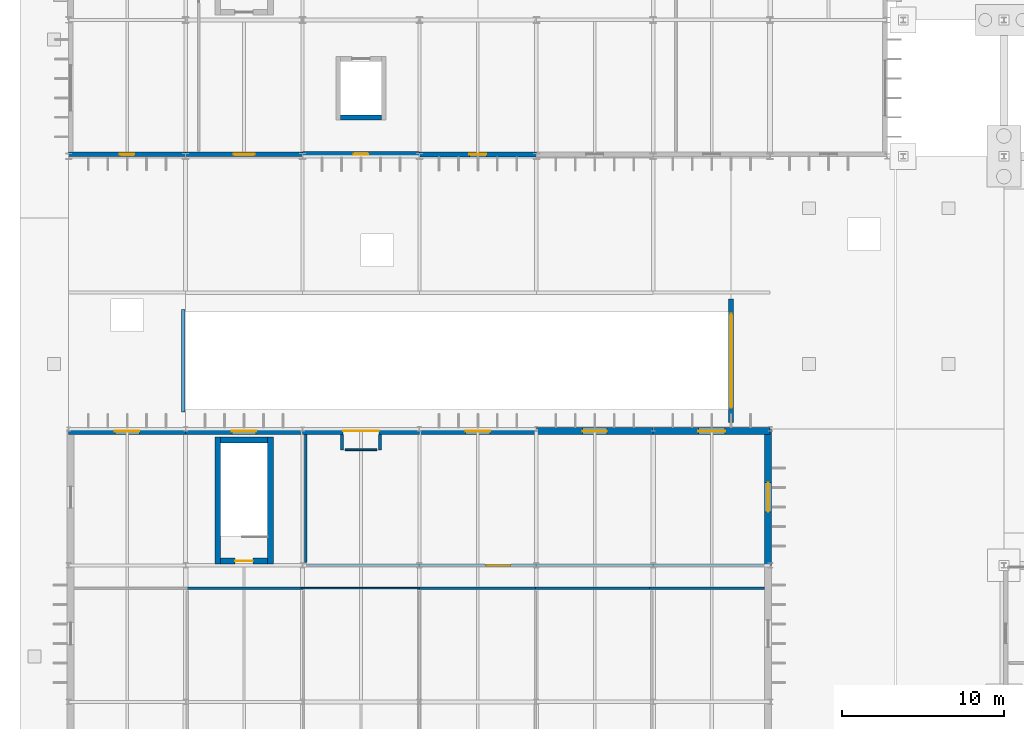
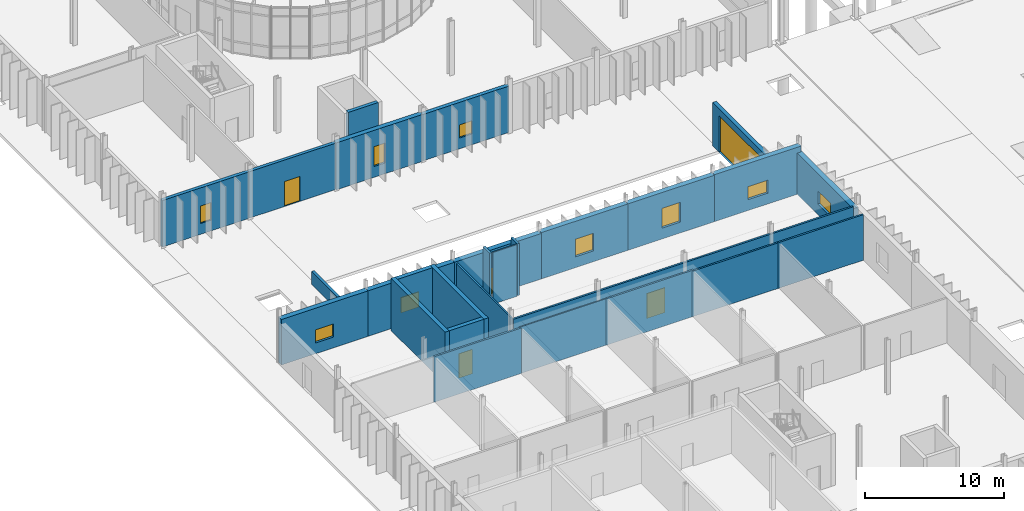
# One storey, part 90 of 118: 28 walls, 9 windows, 5 doors, 14 openings.
"""IFC4 building model written with IfcOpenShell, lengths in metres."""

from ifc_helpers import new_model, si_unit, direction, frame, frame_2d, origin, place, context, subcontext, project, spatial, rectangle, extrude, material, layer, layer_set, type_object, element, fill, save


model = new_model("IFC4")

# Units and contexts
model_context = context("Model", 3, precision=1e-05, world=origin(), true_north=direction((0.0, 1.0)))
body_context = subcontext(model_context, "Body", "Model", "MODEL_VIEW")
ifc_project = project(units=[si_unit("LENGTHUNIT", "METRE"), si_unit("AREAUNIT", "SQUARE_METRE"), si_unit("VOLUMEUNIT", "CUBIC_METRE"), si_unit("PLANEANGLEUNIT", "RADIAN"), si_unit("MASSUNIT", "GRAM", prefix="KILO")], contexts=[model_context])

# Site, building, storey
site_placement = place(None, origin())
site = spatial("IfcSite", under=ifc_project, at=site_placement, CompositionType="ELEMENT")
building_placement = place(site_placement, origin())
building = spatial("IfcBuilding", under=site, at=building_placement, Name="Qelthora Terrace Specialist Clinic", CompositionType="ELEMENT")
storey_placement = place(building_placement, origin())
storey = spatial("IfcBuildingStorey", under=building, at=storey_placement, Name="L00", CompositionType="ELEMENT", Elevation=0.0)

# Walls
ifc_material_1 = material(Name="Concrete C40/50", Category="concrete")
ifc_layer_1 = layer(ifc_material_1, 0.300048828125)
ifc_layer_set_1 = layer_set([ifc_layer_1], Name="Concrete C40/50")
wall_type_1 = type_object("IfcWallType", Name="WAL-CORE-300-C40", PredefinedType="SHEAR", material=ifc_layer_set_1)
wall_1_placement = place(storey_placement, frame((16.75, 61.199951171875, 0.0), z_axis=(0.0, 0.0, 1.0), x_axis=(1.0, 0.0, 0.0)))
element("IfcWall", 1, at=wall_1_placement, inside=storey, type_object=wall_type_1, Name="Lift SL-01 L00 south shaft wall", PredefinedType="SHEAR", context=body_context, shape_type="SweptSolid", body=[
    extrude(rectangle(XDim=2.5, YDim=0.300048828125, at=frame_2d((1.25, 0.0))), origin(), (0.0, 0.0, 1.0), 4.580078125),
])
ifc_layer_2 = layer(ifc_material_1, 0.35009765625)
ifc_layer_set_2 = layer_set([ifc_layer_2], Name="Concrete C40/50")
wall_type_2 = type_object("IfcWallType", Name="WAL-CORE-350-C40", PredefinedType="SHEAR", material=ifc_layer_set_2)
for number, where, z_axis, x_axis, name in (
    (2, (9.175048828125, 33.699951171875, 0.0), (0.0, 0.0, 1.0), (0.0, 1.0, 0.0), "ST-04 L00 west shear core wall"),
    (3, (12.425048828125, 33.699951171875, 0.0), (0.0, 0.0, 1.0), (0.0, 1.0, 0.0), "ST-04 L00 east shear core wall"),
):
    element("IfcWall", number, at=place(storey_placement, frame(where, z_axis=z_axis, x_axis=x_axis)), inside=storey, type_object=wall_type_2, Name=name, PredefinedType="SHEAR", context=body_context, shape_type="SweptSolid", body=[
        extrude(rectangle(XDim=7.800048828125, YDim=0.35009765625, at=frame_2d((3.89990234375, 0.0))), origin(), (0.0, 0.0, 1.0), 4.574951171875),
    ])
wall_2_placement = place(storey_placement, frame((9.35009765625, 41.324951171875, 0.0), z_axis=(0.0, 0.0, 1.0), x_axis=(1.0, 0.0, 0.0)))
element("IfcWall", 4, at=wall_2_placement, inside=storey, type_object=wall_type_2, Name="ST-04 L00 north shear core wall", PredefinedType="SHEAR", context=body_context, shape_type="SweptSolid", body=[
    extrude(rectangle(XDim=2.89990234375, YDim=0.35009765625, at=frame_2d((1.449951171875, 0.0))), origin(), (0.0, 0.0, 1.0), 4.574951171875),
])

# Wall, opening, door
wall_3_placement = place(storey_placement, frame((9.35009765625, 33.875, 0.0), z_axis=(0.0, 0.0, 1.0), x_axis=(1.0, 0.0, 0.0)))
wall_3 = element("IfcWall", 5, at=wall_3_placement, inside=storey, type_object=wall_type_2, Name="ST-04 L00 south shear core wall", PredefinedType="SHEAR", context=body_context, shape_type="SweptSolid", body=[
    extrude(rectangle(XDim=2.89990234375, YDim=0.35009765625, at=frame_2d((1.449951171875, 0.0))), origin(), (0.0, 0.0, 1.0), 4.574951171875),
])
opening_1_placement = place(wall_3_placement, frame((0.89990234375, 0.0, 0.0)))
opening_1 = element("IfcOpeningElement", 6, at=opening_1_placement, cuts=wall_3, Name="Opening D-ST-04-L00", PredefinedType="OPENING", context=body_context, shape_type="SweptSolid", body=[
    extrude(rectangle(XDim=1.10009765625, YDim=2.14990234375, at=frame_2d((0.550048828125, 1.074951171875))), frame((0.0, 0.18505859375, 0.0), z_axis=(0.0, -1.0, 0.0), x_axis=(1.0, 0.0, 0.0)), (0.0, 0.0, 1.0), 0.3701171875),
])
ifc_material_2 = material(Name="Steel S355", Category="steel")
door_type_1 = type_object("IfcDoorType", Name="DOR-STAIR-1100X2150", OperationType="NOTDEFINED", PredefinedType="DOOR", material=ifc_material_2)
door_1_placement = place(opening_1_placement, frame((1.10009765625, 0.0, 0.0), z_axis=(0.0, 0.0, 1.0), x_axis=(-1.0, 0.0, 0.0)))
door_1 = element("IfcDoor", 7, at=door_1_placement, inside=storey, type_object=door_type_1, Name="Stair fire door D-ST-04-L00", OperationType="SINGLE_SWING_LEFT", OverallHeight=2.14990234375, OverallWidth=1.10009765625, PredefinedType="DOOR", context=body_context, shape_type="SweptSolid", body=[
    extrude(rectangle(XDim=1.10009765625, YDim=2.14990234375, at=frame_2d((0.550048828125, 1.074951171875))), frame((0.0, 0.02490234375, 0.0), z_axis=(0.0, -1.0, 0.0), x_axis=(1.0, 0.0, 0.0)), (0.0, 0.0, 1.0), 0.050048828125),
])
fill(opening_1, door_1)

ifc_material_3 = material(Name="Precast concrete C40/50", Category="concrete")
ifc_layer_3 = layer(ifc_material_3, 0.260009765625)
ifc_layer_set_3 = layer_set([ifc_layer_3], Name="Precast concrete C40/50")
wall_type_3 = type_object("IfcWallType", Name="WAL-EXT-260-PC40", PredefinedType="SOLIDWALL", material=ifc_layer_set_3)
wall_4_placement = place(storey_placement, frame((7.199951171875, 58.919921875, 0.0), z_axis=(0.0, 0.0, 1.0), x_axis=(1.0, 0.0, 0.0)))
wall_4 = element("IfcWall", 8, at=wall_4_placement, inside=storey, type_object=wall_type_3, Name="L00 external precast wall 84", PredefinedType="SOLIDWALL", context=body_context, shape_type="SweptSolid", body=[
    extrude(rectangle(XDim=7.199951171875, YDim=0.260009765625, at=frame_2d((3.60009765625, 0.0))), origin(), (0.0, 0.0, 1.0), 4.08203125),
])
opening_2_placement = place(wall_4_placement, frame((2.949951171875, 0.0, 0.0)))
opening_2 = element("IfcOpeningElement", 9, at=opening_2_placement, cuts=wall_4, Name="Opening DE-ST01-EXIT", PredefinedType="OPENING", context=body_context, shape_type="SweptSolid", body=[
    extrude(rectangle(XDim=1.300048828125, YDim=2.199951171875, at=frame_2d((0.64990234375, 1.10009765625))), frame((0.0, 0.139892578125, 0.0), z_axis=(0.0, -1.0, 0.0), x_axis=(1.0, 0.0, 0.0)), (0.0, 0.0, 1.0), 0.280029296875),
])
door_type_2 = type_object("IfcDoorType", Name="DOR-EXT-1300X2200", OperationType="NOTDEFINED", PredefinedType="DOOR", material=ifc_material_2)
door_2_placement = place(opening_2_placement, frame((1.300048828125, 0.0, 0.0), z_axis=(0.0, 0.0, 1.0), x_axis=(-1.0, 0.0, 0.0)))
door_2 = element("IfcDoor", 10, at=door_2_placement, inside=storey, type_object=door_type_2, Name="Exterior entrance/exit door DE-ST01-EXIT", OperationType="SINGLE_SWING_LEFT", OverallHeight=2.199951171875, OverallWidth=1.300048828125, PredefinedType="DOOR", context=body_context, shape_type="SweptSolid", body=[
    extrude(rectangle(XDim=1.300048828125, YDim=2.199951171875, at=frame_2d((0.64990234375, 1.10009765625))), frame((0.0, 0.02490234375, 0.0), z_axis=(0.0, -1.0, 0.0), x_axis=(1.0, 0.0, 0.0)), (0.0, 0.0, 1.0), 0.050048828125),
])
fill(opening_2, door_2)

# Wall, opening, window
ifc_layer_4 = layer(ifc_material_3, 0.280029296875)
ifc_layer_set_4 = layer_set([ifc_layer_4], Name="Precast concrete C40/50")
wall_type_4 = type_object("IfcWallType", Name="WAL-EXT-280-PC40", PredefinedType="SOLIDWALL", material=ifc_layer_set_4)
wall_5_placement = place(storey_placement, frame((0.0, 58.919921875, 0.0), z_axis=(0.0, 0.0, 1.0), x_axis=(1.0, 0.0, 0.0)))
wall_5 = element("IfcWall", 11, at=wall_5_placement, inside=storey, type_object=wall_type_4, Name="L00 external precast wall 83", PredefinedType="SOLIDWALL", context=body_context, shape_type="SweptSolid", body=[
    extrude(rectangle(XDim=7.199951171875, YDim=0.280029296875, at=frame_2d((3.60009765625, 0.0))), origin(), (0.0, 0.0, 1.0), 4.08203125),
])
opening_3_placement = place(wall_5_placement, frame((3.14990234375, 0.0, 0.949951171875)))
opening_3 = element("IfcOpeningElement", 12, at=opening_3_placement, cuts=wall_5, Name="Opening WN-L00-063", PredefinedType="OPENING", context=body_context, shape_type="SweptSolid", body=[
    extrude(rectangle(XDim=0.89990234375, YDim=1.550048828125, at=frame_2d((0.449951171875, 0.77490234375))), frame((0.0, 0.14990234375, 0.0), z_axis=(0.0, -1.0, 0.0), x_axis=(1.0, 0.0, 0.0)), (0.0, 0.0, 1.0), 0.300048828125),
])
ifc_material_4 = material(Name="Low-E triple-silver insulating glass", Category="glass")
window_type_1 = type_object("IfcWindowType", Name="WIN-900X1550", PartitioningType="SINGLE_PANEL", PredefinedType="WINDOW", material=ifc_material_4)
window_1_placement = place(opening_3_placement, origin())
window_1 = element("IfcWindow", 13, at=window_1_placement, inside=storey, type_object=window_type_1, Name="Clinical window WN-L00-063", OverallHeight=1.550048828125, OverallWidth=0.89990234375, PartitioningType="SINGLE_PANEL", PredefinedType="WINDOW", context=body_context, shape_type="SweptSolid", body=[
    extrude(rectangle(XDim=0.89990234375, YDim=1.550048828125, at=frame_2d((0.449951171875, 0.77490234375))), frame((0.0, 0.030029296875, 0.0), z_axis=(0.0, -1.0, 0.0), x_axis=(1.0, 0.0, 0.0)), (0.0, 0.0, 1.0), 0.06005859375),
])
fill(opening_3, window_1)

# Wall, opening, door
ifc_layer_5 = layer(ifc_material_3, 0.320068359375)
ifc_layer_set_5 = layer_set([ifc_layer_5], Name="Precast concrete C40/50")
wall_type_5 = type_object("IfcWallType", Name="WAL-EXT-320-PC40", PredefinedType="SOLIDWALL", material=ifc_layer_set_5)
wall_6_placement = place(storey_placement, frame((40.800048828125, 42.39990234375, 0.0), z_axis=(0.0, 0.0, 1.0), x_axis=(0.0, 1.0, 0.0)))
wall_6 = element("IfcWall", 14, at=wall_6_placement, inside=storey, type_object=wall_type_5, Name="Vehicle ramp portal wall", PredefinedType="SOLIDWALL", context=body_context, shape_type="SweptSolid", body=[
    extrude(rectangle(XDim=7.60009765625, YDim=0.320068359375, at=frame_2d((3.800048828125, 0.0))), origin(), (0.0, 0.0, 1.0), 3.800048828125),
])
opening_4_placement = place(wall_6_placement, frame((0.89990234375, 0.0, 0.0)))
opening_4 = element("IfcOpeningElement", 15, at=opening_4_placement, cuts=wall_6, Name="Opening VG-01", PredefinedType="OPENING", context=body_context, shape_type="SweptSolid", body=[
    extrude(rectangle(XDim=5.800048828125, YDim=3.199951171875, at=frame_2d((2.89990234375, 1.60009765625))), frame((0.0, 0.169921875, 0.0), z_axis=(0.0, -1.0, 0.0), x_axis=(1.0, 0.0, 0.0)), (0.0, 0.0, 1.0), 0.340087890625),
])
door_type_3 = type_object("IfcDoorType", Name="DOR-VGATE-5800X3200", OperationType="NOTDEFINED", PredefinedType="GATE", material=ifc_material_2)
door_3_placement = place(opening_4_placement, frame((5.800048828125, 0.0, 0.0), z_axis=(0.0, 0.0, 1.0), x_axis=(-1.0, 0.0, 0.0)))
door_3 = element("IfcDoor", 16, at=door_3_placement, inside=storey, type_object=door_type_3, Name="Car park rolling vehicle gate VG-01", OperationType="ROLLINGUP", OverallHeight=3.199951171875, OverallWidth=5.800048828125, PredefinedType="GATE", context=body_context, shape_type="SweptSolid", body=[
    extrude(rectangle(XDim=5.800048828125, YDim=3.199951171875, at=frame_2d((2.89990234375, 1.60009765625))), frame((0.0, 0.02490234375, 0.0), z_axis=(0.0, -1.0, 0.0), x_axis=(1.0, 0.0, 0.0)), (0.0, 0.0, 1.0), 0.050048828125),
])
fill(opening_4, door_3)

# Wall, opening, window
wall_7_placement = place(storey_placement, frame((21.60009765625, 58.919921875, 0.0), z_axis=(0.0, 0.0, 1.0), x_axis=(1.0, 0.0, 0.0)))
wall_7 = element("IfcWall", 17, at=wall_7_placement, inside=storey, type_object=wall_type_5, Name="L00 external precast wall 86", PredefinedType="SOLIDWALL", context=body_context, shape_type="SweptSolid", body=[
    extrude(rectangle(XDim=7.199951171875, YDim=0.320068359375, at=frame_2d((3.60009765625, 0.0))), origin(), (0.0, 0.0, 1.0), 4.08203125),
])
opening_5_placement = place(wall_7_placement, frame((3.074951171875, 0.0, 0.949951171875)))
opening_5 = element("IfcOpeningElement", 18, at=opening_5_placement, cuts=wall_7, Name="Opening WN-L00-065", PredefinedType="OPENING", context=body_context, shape_type="SweptSolid", body=[
    extrude(rectangle(XDim=1.050048828125, YDim=1.14990234375, at=frame_2d((0.52490234375, 0.574951171875))), frame((0.0, 0.169921875, 0.0), z_axis=(0.0, -1.0, 0.0), x_axis=(1.0, 0.0, 0.0)), (0.0, 0.0, 1.0), 0.340087890625),
])
window_type_2 = type_object("IfcWindowType", Name="WIN-1050X1150", PartitioningType="SINGLE_PANEL", PredefinedType="WINDOW", material=ifc_material_4)
window_2_placement = place(opening_5_placement, origin())
window_2 = element("IfcWindow", 19, at=window_2_placement, inside=storey, type_object=window_type_2, Name="Clinical window WN-L00-065", OverallHeight=1.14990234375, OverallWidth=1.050048828125, PartitioningType="SINGLE_PANEL", PredefinedType="WINDOW", context=body_context, shape_type="SweptSolid", body=[
    extrude(rectangle(XDim=1.050048828125, YDim=1.14990234375, at=frame_2d((0.52490234375, 0.574951171875))), frame((0.0, 0.030029296875, 0.0), z_axis=(0.0, -1.0, 0.0), x_axis=(1.0, 0.0, 0.0)), (0.0, 0.0, 1.0), 0.06005859375),
])
fill(opening_5, window_2)

ifc_layer_6 = layer(ifc_material_3, 0.3798828125)
ifc_layer_set_6 = layer_set([ifc_layer_6], Name="Precast concrete C40/50")
wall_type_6 = type_object("IfcWallType", Name="WAL-EXT-380-PC40", PredefinedType="SOLIDWALL", material=ifc_layer_set_6)
wall_8_placement = place(storey_placement, frame((14.39990234375, 58.919921875, 0.0), z_axis=(0.0, 0.0, 1.0), x_axis=(1.0, 0.0, 0.0)))
wall_8 = element("IfcWall", 20, at=wall_8_placement, inside=storey, type_object=wall_type_6, Name="L00 external precast wall 85", PredefinedType="SOLIDWALL", context=body_context, shape_type="SweptSolid", body=[
    extrude(rectangle(XDim=7.2001953125, YDim=0.3798828125, at=frame_2d((3.60009765625, 0.0))), origin(), (0.0, 0.0, 1.0), 4.12890625),
])
opening_6_placement = place(wall_8_placement, frame((3.14990234375, 0.0, 0.949951171875)))
opening_6 = element("IfcOpeningElement", 21, at=opening_6_placement, cuts=wall_8, Name="Opening WN-L00-064", PredefinedType="OPENING", context=body_context, shape_type="SweptSolid", body=[
    extrude(rectangle(XDim=0.89990234375, YDim=1.75, at=frame_2d((0.449951171875, 0.875))), frame((0.0, 0.199951171875, 0.0), z_axis=(0.0, -1.0, 0.0), x_axis=(1.0, 0.0, 0.0)), (0.0, 0.0, 1.0), 0.39990234375),
])
window_type_3 = type_object("IfcWindowType", Name="WIN-900X1750", PartitioningType="SINGLE_PANEL", PredefinedType="WINDOW", material=ifc_material_4)
window_3_placement = place(opening_6_placement, origin())
window_3 = element("IfcWindow", 22, at=window_3_placement, inside=storey, type_object=window_type_3, Name="Clinical window WN-L00-064", OverallHeight=1.75, OverallWidth=0.89990234375, PartitioningType="SINGLE_PANEL", PredefinedType="WINDOW", context=body_context, shape_type="SweptSolid", body=[
    extrude(rectangle(XDim=0.89990234375, YDim=1.75, at=frame_2d((0.449951171875, 0.875))), frame((0.0, 0.030029296875, 0.0), z_axis=(0.0, -1.0, 0.0), x_axis=(1.0, 0.0, 0.0)), (0.0, 0.0, 1.0), 0.06005859375),
])
fill(opening_6, window_3)

# Walls
ifc_material_5 = material(Name="Gypsum acoustic wallboard", Category="gypsum")
ifc_layer_7 = layer(ifc_material_5, 0.139892578125)
ifc_layer_set_7 = layer_set([ifc_layer_7], Name="Gypsum acoustic wallboard")
wall_type_7 = type_object("IfcWallType", Name="WAL-INT-ACU-140", PredefinedType="PARTITIONING", material=ifc_layer_set_7)
wall_9_placement = place(storey_placement, frame((21.465087890625, 32.199951171875, 0.0), z_axis=(0.0, 0.0, 1.0), x_axis=(1.0, 0.0, 0.0)))
element("IfcWall", 23, at=wall_9_placement, inside=storey, type_object=wall_type_7, Name="Interior clinical partition IWAL-L00-0056", PredefinedType="PARTITIONING", context=body_context, shape_type="SweptSolid", body=[
    extrude(rectangle(XDim=7.284912109375, YDim=0.139892578125, at=frame_2d((3.642578125, 0.0))), origin(), (0.0, 0.0, 1.0), 4.0791015625),
])
wall_10_placement = place(storey_placement, frame((14.60009765625, 33.780029296875, 0.0), z_axis=(0.0, 0.0, 1.0), x_axis=(0.0, 1.0, 0.0)))
element("IfcWall", 24, at=wall_10_placement, inside=storey, type_object=wall_type_7, Name="Interior clinical partition IWAL-L00-0066", PredefinedType="PARTITIONING", context=body_context, shape_type="SweptSolid", body=[
    extrude(rectangle(XDim=7.8798828125, YDim=0.139892578125, at=frame_2d((3.93994140625, 0.0))), origin(), (0.0, 0.0, 1.0), 3.85205078125),
])
ifc_material_6 = material(Name="Gypsum fire-rated wallboard", Category="gypsum")
ifc_layer_8 = layer(ifc_material_6, 0.179931640625)
ifc_layer_set_8 = layer_set([ifc_layer_8], Name="Gypsum fire-rated wallboard")
wall_type_8 = type_object("IfcWallType", Name="WAL-INT-CLN-180", PredefinedType="PARTITIONING", material=ifc_layer_set_8)
for number, where, z_axis, x_axis, name in (
    (25, (19.159912109375, 40.719970703125, 0.0), (0.0, 0.0, 1.0), (0.0, 1.0, 0.0), "Interior clinical partition IWAL-L00-0064"),
    (26, (16.840087890625, 41.659912109375, 0.0), (0.0, 0.0, 1.0), (0.0, -1.0, 0.0), "Interior clinical partition IWAL-L00-0067"),
):
    element("IfcWall", number, at=place(storey_placement, frame(where, z_axis=z_axis, x_axis=x_axis)), inside=storey, type_object=wall_type_8, Name=name, PredefinedType="PARTITIONING", context=body_context, shape_type="SweptSolid", body=[
        extrude(rectangle(XDim=0.93994140625, YDim=0.179931640625, at=frame_2d((0.469970703125, 0.0))), origin(), (0.0, 0.0, 1.0), 4.544921875),
    ])

# Wall, opening, door
ifc_layer_9 = layer(ifc_material_6, 0.159912109375)
ifc_layer_set_9 = layer_set([ifc_layer_9], Name="Gypsum fire-rated wallboard")
wall_type_9 = type_object("IfcWallType", Name="WAL-INT-COR-160", PredefinedType="PARTITIONING", material=ifc_layer_set_9)
wall_11_placement = place(storey_placement, frame((42.860107421875, 33.60009765625, 0.0), z_axis=(0.0, 0.0, 1.0), x_axis=(-1.0, 0.0, 0.0)))
wall_11 = element("IfcWall", 27, at=wall_11_placement, inside=storey, type_object=wall_type_9, Name="Interior clinical partition IWAL-L00-0065", PredefinedType="PARTITIONING", context=body_context, shape_type="SweptSolid", body=[
    extrude(rectangle(XDim=28.260009765625, YDim=0.159912109375, at=frame_2d((14.1298828125, 0.0))), origin(), (0.0, 0.0, 1.0), 3.85205078125),
])
opening_7_placement = place(wall_11_placement, frame((15.64990234375, 0.0, 0.0)))
opening_7 = element("IfcOpeningElement", 28, at=opening_7_placement, cuts=wall_11, Name="Opening DI-L00-0026", PredefinedType="OPENING", context=body_context, shape_type="SweptSolid", body=[
    extrude(rectangle(XDim=1.5, YDim=2.199951171875, at=frame_2d((0.75, 1.10009765625))), frame((0.0, 0.08984375, 0.0), z_axis=(0.0, -1.0, 0.0), x_axis=(1.0, 0.0, 0.0)), (0.0, 0.0, 1.0), 0.179931640625),
])
door_type_4 = type_object("IfcDoorType", Name="DOR-OR-1500X2200", OperationType="NOTDEFINED", PredefinedType="DOOR", material=ifc_material_2)
door_4_placement = place(opening_7_placement, frame((1.5, 0.0, 0.0), z_axis=(0.0, 0.0, 1.0), x_axis=(-1.0, 0.0, 0.0)))
door_4 = element("IfcDoor", 29, at=door_4_placement, inside=storey, type_object=door_type_4, Name="Interior clinical door DI-L00-0026", OperationType="SINGLE_SWING_LEFT", OverallHeight=2.199951171875, OverallWidth=1.5, PredefinedType="DOOR", context=body_context, shape_type="SweptSolid", body=[
    extrude(rectangle(XDim=1.5, YDim=2.199951171875, at=frame_2d((0.75, 1.10009765625))), frame((0.0, 0.02490234375, 0.0), z_axis=(0.0, -1.0, 0.0), x_axis=(1.0, 0.0, 0.0)), (0.0, 0.0, 1.0), 0.050048828125),
])
fill(opening_7, door_4)

# Walls
ifc_layer_10 = layer(ifc_material_4, 0.110107421875)
ifc_layer_set_10 = layer_set([ifc_layer_10], Name="Low-E triple-silver insulating glass")
wall_type_10 = type_object("IfcWallType", Name="WAL-INT-GLA-110", PredefinedType="MOVABLE", material=ifc_layer_set_10)
wall_12_placement = place(storey_placement, frame((17.02001953125, 40.719970703125, 0.0), z_axis=(0.0, 0.0, 1.0), x_axis=(1.0, 0.0, 0.0)))
element("IfcWall", 30, at=wall_12_placement, inside=storey, type_object=wall_type_10, Name="Interior clinical partition IWAL-L00-0068", PredefinedType="MOVABLE", context=body_context, shape_type="SweptSolid", body=[
    extrude(rectangle(XDim=1.9599609375, YDim=0.110107421875, at=frame_2d((0.97998046875, 0.0))), origin(), (0.0, 0.0, 1.0), 4.544921875),
])
ifc_layer_11 = layer(ifc_material_5, 0.10009765625)
ifc_layer_set_11 = layer_set([ifc_layer_11], Name="Gypsum acoustic wallboard")
wall_type_11 = type_object("IfcWallType", Name="WAL-INT-LGT-100", PredefinedType="PARTITIONING", material=ifc_layer_set_11)
wall_13_placement = place(storey_placement, frame((14.31494140625, 32.199951171875, 0.0), z_axis=(0.0, 0.0, 1.0), x_axis=(1.0, 0.0, 0.0)))
element("IfcWall", 31, at=wall_13_placement, inside=storey, type_object=wall_type_11, Name="Interior clinical partition IWAL-L00-0053", PredefinedType="PARTITIONING", context=body_context, shape_type="SweptSolid", body=[
    extrude(rectangle(XDim=7.28515625, YDim=0.10009765625, at=frame_2d((3.642578125, 0.0))), origin(), (0.0, 0.0, 1.0), 4.0791015625),
])
ifc_material_7 = material(Name="Gypsum moisture-resistant", Category="gypsum")
ifc_layer_12 = layer(ifc_material_7, 0.14990234375)
ifc_layer_set_12 = layer_set([ifc_layer_12], Name="Gypsum moisture-resistant")
wall_type_12 = type_object("IfcWallType", Name="WAL-INT-WET-150", PredefinedType="PLUMBINGWALL", material=ifc_layer_set_12)
for number, where, z_axis, x_axis, name in (
    (32, (7.1650390625, 32.199951171875, 0.0), (0.0, 0.0, 1.0), (1.0, 0.0, 0.0), "Interior clinical partition IWAL-L00-0050"),
    (33, (28.614990234375, 32.199951171875, 0.0), (0.0, 0.0, 1.0), (1.0, 0.0, 0.0), "Interior clinical partition IWAL-L00-0059"),
):
    element("IfcWall", number, at=place(storey_placement, frame(where, z_axis=z_axis, x_axis=x_axis)), inside=storey, type_object=wall_type_12, Name=name, PredefinedType="PLUMBINGWALL", context=body_context, shape_type="SweptSolid", body=[
        extrude(rectangle(XDim=7.284912109375, YDim=0.14990234375, at=frame_2d((3.642578125, 0.0))), origin(), (0.0, 0.0, 1.0), 4.0009765625),
    ])
wall_14_placement = place(storey_placement, frame((35.764892578125, 32.199951171875, 0.0), z_axis=(0.0, 0.0, 1.0), x_axis=(1.0, 0.0, 0.0)))
element("IfcWall", 34, at=wall_14_placement, inside=storey, type_object=wall_type_12, Name="Interior clinical partition IWAL-L00-0062", PredefinedType="PLUMBINGWALL", context=body_context, shape_type="SweptSolid", body=[
    extrude(rectangle(XDim=7.09521484375, YDim=0.14990234375, at=frame_2d((3.547607421875, 0.0))), origin(), (0.0, 0.0, 1.0), 4.0009765625),
])

# Wall, opening, window
ifc_layer_13 = layer(ifc_material_3, 0.419921875)
ifc_layer_set_13 = layer_set([ifc_layer_13], Name="Precast concrete C40/50")
wall_type_13 = type_object("IfcWallType", Name="WAL-MRI-420-PC40", PredefinedType="SOLIDWALL", material=ifc_layer_set_13)
wall_15_placement = place(storey_placement, frame((0.0, 41.8798828125, 0.0), z_axis=(0.0, 0.0, 1.0), x_axis=(1.0, 0.0, 0.0)))
wall_15 = element("IfcWall", 35, at=wall_15_placement, inside=storey, type_object=wall_type_13, Name="L00 external precast wall 101", PredefinedType="SOLIDWALL", context=body_context, shape_type="SweptSolid", body=[
    extrude(rectangle(XDim=7.199951171875, YDim=0.419921875, at=frame_2d((3.60009765625, 0.0))), origin(), (0.0, 0.0, 1.0), 4.0048828125),
])
opening_8_placement = place(wall_15_placement, frame((2.85009765625, 0.0, 0.949951171875)))
opening_8 = element("IfcOpeningElement", 36, at=opening_8_placement, cuts=wall_15, Name="Opening WN-L00-077", PredefinedType="OPENING", context=body_context, shape_type="SweptSolid", body=[
    extrude(rectangle(XDim=1.5, YDim=1.14990234375, at=frame_2d((0.75, 0.574951171875))), frame((0.0, 0.219970703125, 0.0), z_axis=(0.0, -1.0, 0.0), x_axis=(1.0, 0.0, 0.0)), (0.0, 0.0, 1.0), 0.43994140625),
])
window_type_4 = type_object("IfcWindowType", Name="WIN-1500X1150", PartitioningType="SINGLE_PANEL", PredefinedType="WINDOW", material=ifc_material_4)
window_4_placement = place(opening_8_placement, origin())
window_4 = element("IfcWindow", 37, at=window_4_placement, inside=storey, type_object=window_type_4, Name="Clinical window WN-L00-077", OverallHeight=1.14990234375, OverallWidth=1.5, PartitioningType="SINGLE_PANEL", PredefinedType="WINDOW", context=body_context, shape_type="SweptSolid", body=[
    extrude(rectangle(XDim=1.5, YDim=1.14990234375, at=frame_2d((0.75, 0.574951171875))), frame((0.0, 0.030029296875, 0.0), z_axis=(0.0, -1.0, 0.0), x_axis=(1.0, 0.0, 0.0)), (0.0, 0.0, 1.0), 0.06005859375),
])
fill(opening_8, window_4)

wall_16_placement = place(storey_placement, frame((7.199951171875, 41.8798828125, 0.0), z_axis=(0.0, 0.0, 1.0), x_axis=(1.0, 0.0, 0.0)))
wall_16 = element("IfcWall", 38, at=wall_16_placement, inside=storey, type_object=wall_type_13, Name="L00 external precast wall 102", PredefinedType="SOLIDWALL", context=body_context, shape_type="SweptSolid", body=[
    extrude(rectangle(XDim=7.199951171875, YDim=0.419921875, at=frame_2d((3.60009765625, 0.0))), origin(), (0.0, 0.0, 1.0), 4.0048828125),
])
opening_9_placement = place(wall_16_placement, frame((2.85009765625, 0.0, 0.949951171875)))
opening_9 = element("IfcOpeningElement", 39, at=opening_9_placement, cuts=wall_16, Name="Opening WN-L00-078", PredefinedType="OPENING", context=body_context, shape_type="SweptSolid", body=[
    extrude(rectangle(XDim=1.5, YDim=1.35009765625, at=frame_2d((0.75, 0.675048828125))), frame((0.0, 0.219970703125, 0.0), z_axis=(0.0, -1.0, 0.0), x_axis=(1.0, 0.0, 0.0)), (0.0, 0.0, 1.0), 0.43994140625),
])
window_type_5 = type_object("IfcWindowType", Name="WIN-1500X1350", PartitioningType="SINGLE_PANEL", PredefinedType="WINDOW", material=ifc_material_4)
window_5_placement = place(opening_9_placement, origin())
window_5 = element("IfcWindow", 40, at=window_5_placement, inside=storey, type_object=window_type_5, Name="Clinical window WN-L00-078", OverallHeight=1.35009765625, OverallWidth=1.5, PartitioningType="SINGLE_PANEL", PredefinedType="WINDOW", context=body_context, shape_type="SweptSolid", body=[
    extrude(rectangle(XDim=1.5, YDim=1.35009765625, at=frame_2d((0.75, 0.675048828125))), frame((0.0, 0.030029296875, 0.0), z_axis=(0.0, -1.0, 0.0), x_axis=(1.0, 0.0, 0.0)), (0.0, 0.0, 1.0), 0.06005859375),
])
fill(opening_9, window_5)

# Wall, opening, door
wall_17_placement = place(storey_placement, frame((14.39990234375, 41.8798828125, 0.0), z_axis=(0.0, 0.0, 1.0), x_axis=(1.0, 0.0, 0.0)))
wall_17 = element("IfcWall", 41, at=wall_17_placement, inside=storey, type_object=wall_type_13, Name="L00 external precast wall 103", PredefinedType="SOLIDWALL", context=body_context, shape_type="SweptSolid", body=[
    extrude(rectangle(XDim=7.2001953125, YDim=0.419921875, at=frame_2d((3.60009765625, 0.0))), origin(), (0.0, 0.0, 1.0), 4.0048828125),
])
opening_10_placement = place(wall_17_placement, frame((2.5, 0.0, 0.0)))
opening_10 = element("IfcOpeningElement", 42, at=opening_10_placement, cuts=wall_17, Name="Opening DE-AMB-01", PredefinedType="OPENING", context=body_context, shape_type="SweptSolid", body=[
    extrude(rectangle(XDim=2.199951171875, YDim=2.39990234375, at=frame_2d((1.10009765625, 1.199951171875))), frame((0.0, 0.219970703125, 0.0), z_axis=(0.0, -1.0, 0.0), x_axis=(1.0, 0.0, 0.0)), (0.0, 0.0, 1.0), 0.43994140625),
])
door_type_5 = type_object("IfcDoorType", Name="DOR-EXT-2200X2400", OperationType="NOTDEFINED", PredefinedType="DOOR", material=ifc_material_2)
door_5_placement = place(opening_10_placement, origin())
door_5 = element("IfcDoor", 43, at=door_5_placement, inside=storey, type_object=door_type_5, Name="Exterior entrance/exit door DE-AMB-01", OperationType="DOUBLE_DOOR_SINGLE_SWING", OverallHeight=2.39990234375, OverallWidth=2.199951171875, PredefinedType="DOOR", context=body_context, shape_type="SweptSolid", body=[
    extrude(rectangle(XDim=2.199951171875, YDim=2.39990234375, at=frame_2d((1.10009765625, 1.199951171875))), frame((0.0, 0.02490234375, 0.0), z_axis=(0.0, -1.0, 0.0), x_axis=(1.0, 0.0, 0.0)), (0.0, 0.0, 1.0), 0.050048828125),
])
fill(opening_10, door_5)

# Wall, opening, window
wall_18_placement = place(storey_placement, frame((21.60009765625, 41.8798828125, 0.0), z_axis=(0.0, 0.0, 1.0), x_axis=(1.0, 0.0, 0.0)))
wall_18 = element("IfcWall", 44, at=wall_18_placement, inside=storey, type_object=wall_type_13, Name="L00 external precast wall 104", PredefinedType="SOLIDWALL", context=body_context, shape_type="SweptSolid", body=[
    extrude(rectangle(XDim=7.199951171875, YDim=0.419921875, at=frame_2d((3.60009765625, 0.0))), origin(), (0.0, 0.0, 1.0), 4.075927734375),
])
opening_11_placement = place(wall_18_placement, frame((2.85009765625, 0.0, 0.949951171875)))
opening_11 = element("IfcOpeningElement", 45, at=opening_11_placement, cuts=wall_18, Name="Opening WN-L00-079", PredefinedType="OPENING", context=body_context, shape_type="SweptSolid", body=[
    extrude(rectangle(XDim=1.5, YDim=1.550048828125, at=frame_2d((0.75, 0.77490234375))), frame((0.0, 0.219970703125, 0.0), z_axis=(0.0, -1.0, 0.0), x_axis=(1.0, 0.0, 0.0)), (0.0, 0.0, 1.0), 0.43994140625),
])
window_type_6 = type_object("IfcWindowType", Name="WIN-1500X1550", PartitioningType="SINGLE_PANEL", PredefinedType="WINDOW", material=ifc_material_4)
window_6_placement = place(opening_11_placement, origin())
window_6 = element("IfcWindow", 46, at=window_6_placement, inside=storey, type_object=window_type_6, Name="Clinical window WN-L00-079", OverallHeight=1.550048828125, OverallWidth=1.5, PartitioningType="SINGLE_PANEL", PredefinedType="WINDOW", context=body_context, shape_type="SweptSolid", body=[
    extrude(rectangle(XDim=1.5, YDim=1.550048828125, at=frame_2d((0.75, 0.77490234375))), frame((0.0, 0.030029296875, 0.0), z_axis=(0.0, -1.0, 0.0), x_axis=(1.0, 0.0, 0.0)), (0.0, 0.0, 1.0), 0.06005859375),
])
fill(opening_11, window_6)

wall_19_placement = place(storey_placement, frame((28.800048828125, 41.8798828125, 0.0), z_axis=(0.0, 0.0, 1.0), x_axis=(1.0, 0.0, 0.0)))
wall_19 = element("IfcWall", 47, at=wall_19_placement, inside=storey, type_object=wall_type_13, Name="L00 external precast wall 105", PredefinedType="SOLIDWALL", context=body_context, shape_type="SweptSolid", body=[
    extrude(rectangle(XDim=7.199951171875, YDim=0.419921875, at=frame_2d((3.60009765625, 0.0))), origin(), (0.0, 0.0, 1.0), 4.08203125),
])
opening_12_placement = place(wall_19_placement, frame((2.85009765625, 0.0, 0.949951171875)))
opening_12 = element("IfcOpeningElement", 48, at=opening_12_placement, cuts=wall_19, Name="Opening WN-L00-080", PredefinedType="OPENING", context=body_context, shape_type="SweptSolid", body=[
    extrude(rectangle(XDim=1.5, YDim=1.75, at=frame_2d((0.75, 0.875))), frame((0.0, 0.219970703125, 0.0), z_axis=(0.0, -1.0, 0.0), x_axis=(1.0, 0.0, 0.0)), (0.0, 0.0, 1.0), 0.43994140625),
])
window_type_7 = type_object("IfcWindowType", Name="WIN-1500X1750", PartitioningType="SINGLE_PANEL", PredefinedType="WINDOW", material=ifc_material_4)
window_7_placement = place(opening_12_placement, origin())
window_7 = element("IfcWindow", 49, at=window_7_placement, inside=storey, type_object=window_type_7, Name="Clinical window WN-L00-080", OverallHeight=1.75, OverallWidth=1.5, PartitioningType="SINGLE_PANEL", PredefinedType="WINDOW", context=body_context, shape_type="SweptSolid", body=[
    extrude(rectangle(XDim=1.5, YDim=1.75, at=frame_2d((0.75, 0.875))), frame((0.0, 0.030029296875, 0.0), z_axis=(0.0, -1.0, 0.0), x_axis=(1.0, 0.0, 0.0)), (0.0, 0.0, 1.0), 0.06005859375),
])
fill(opening_12, window_7)

wall_20_placement = place(storey_placement, frame((36.0, 41.8798828125, 0.0), z_axis=(0.0, 0.0, 1.0), x_axis=(1.0, 0.0, 0.0)))
wall_20 = element("IfcWall", 50, at=wall_20_placement, inside=storey, type_object=wall_type_13, Name="L00 external precast wall 106", PredefinedType="SOLIDWALL", context=body_context, shape_type="SweptSolid", body=[
    extrude(rectangle(XDim=7.199951171875, YDim=0.419921875, at=frame_2d((3.60009765625, 0.0))), origin(), (0.0, 0.0, 1.0), 4.12890625),
])
opening_13_placement = place(wall_20_placement, frame((2.77490234375, 0.0, 0.949951171875)))
opening_13 = element("IfcOpeningElement", 51, at=opening_13_placement, cuts=wall_20, Name="Opening WN-L00-081", PredefinedType="OPENING", context=body_context, shape_type="SweptSolid", body=[
    extrude(rectangle(XDim=1.64990234375, YDim=1.14990234375, at=frame_2d((0.824951171875, 0.574951171875))), frame((0.0, 0.219970703125, 0.0), z_axis=(0.0, -1.0, 0.0), x_axis=(1.0, 0.0, 0.0)), (0.0, 0.0, 1.0), 0.43994140625),
])
window_type_8 = type_object("IfcWindowType", Name="WIN-1650X1150", PartitioningType="DOUBLE_PANEL_VERTICAL", PredefinedType="WINDOW", material=ifc_material_4)
window_8_placement = place(opening_13_placement, origin())
window_8 = element("IfcWindow", 52, at=window_8_placement, inside=storey, type_object=window_type_8, Name="Clinical window WN-L00-081", OverallHeight=1.14990234375, OverallWidth=1.64990234375, PartitioningType="SINGLE_PANEL", PredefinedType="WINDOW", context=body_context, shape_type="SweptSolid", body=[
    extrude(rectangle(XDim=1.64990234375, YDim=1.14990234375, at=frame_2d((0.824951171875, 0.574951171875))), frame((0.0, 0.030029296875, 0.0), z_axis=(0.0, -1.0, 0.0), x_axis=(1.0, 0.0, 0.0)), (0.0, 0.0, 1.0), 0.06005859375),
])
fill(opening_13, window_8)

wall_21_placement = place(storey_placement, frame((43.080078125, 33.60009765625, 0.0), z_axis=(0.0, 0.0, 1.0), x_axis=(0.0, 1.0, 0.0)))
wall_21 = element("IfcWall", 53, at=wall_21_placement, inside=storey, type_object=wall_type_13, Name="L00 external precast wall 111", PredefinedType="SOLIDWALL", context=body_context, shape_type="SweptSolid", body=[
    extrude(rectangle(XDim=8.39990234375, YDim=0.419921875, at=frame_2d((4.199951171875, 0.0))), origin(), (0.0, 0.0, 1.0), 3.614990234375),
])
opening_14_placement = place(wall_21_placement, frame((3.300048828125, 0.0, 0.949951171875)))
opening_14 = element("IfcOpeningElement", 54, at=opening_14_placement, cuts=wall_21, Name="Opening WN-L00-085", PredefinedType="OPENING", context=body_context, shape_type="SweptSolid", body=[
    extrude(rectangle(XDim=1.800048828125, YDim=1.14990234375, at=frame_2d((0.89990234375, 0.574951171875))), frame((0.0, 0.219970703125, 0.0), z_axis=(0.0, -1.0, 0.0), x_axis=(1.0, 0.0, 0.0)), (0.0, 0.0, 1.0), 0.43994140625),
])
window_type_9 = type_object("IfcWindowType", Name="WIN-1800X1150", PartitioningType="DOUBLE_PANEL_VERTICAL", PredefinedType="WINDOW", material=ifc_material_4)
window_9_placement = place(opening_14_placement, origin())
window_9 = element("IfcWindow", 55, at=window_9_placement, inside=storey, type_object=window_type_9, Name="Clinical window WN-L00-085", OverallHeight=1.14990234375, OverallWidth=1.800048828125, PartitioningType="SINGLE_PANEL", PredefinedType="WINDOW", context=body_context, shape_type="SweptSolid", body=[
    extrude(rectangle(XDim=1.800048828125, YDim=1.14990234375, at=frame_2d((0.89990234375, 0.574951171875))), frame((0.0, 0.030029296875, 0.0), z_axis=(0.0, -1.0, 0.0), x_axis=(1.0, 0.0, 0.0)), (0.0, 0.0, 1.0), 0.06005859375),
])
fill(opening_14, window_9)

# Wall
ifc_layer_14 = layer(ifc_material_3, 0.219970703125)
ifc_layer_set_14 = layer_set([ifc_layer_14], Name="Precast concrete C40/50")
wall_type_14 = type_object("IfcWallType", Name="WAL-PAR-220-PC40", PredefinedType="PARAPET", material=ifc_layer_set_14)
wall_22_placement = place(storey_placement, frame((7.050048828125, 43.050048828125, 0.0), z_axis=(0.0, 0.0, 1.0), x_axis=(0.0, 1.0, 0.0)))
element("IfcWall", 56, at=wall_22_placement, inside=storey, type_object=wall_type_14, Name="Vehicle ramp L00 well parapet W", PredefinedType="PARAPET", context=body_context, shape_type="SweptSolid", body=[
    extrude(rectangle(XDim=6.300048828125, YDim=0.219970703125, at=frame_2d((3.14990234375, 0.0))), origin(), (0.0, 0.0, 1.0), 1.14990234375),
])

save(model, "model.ifc")
